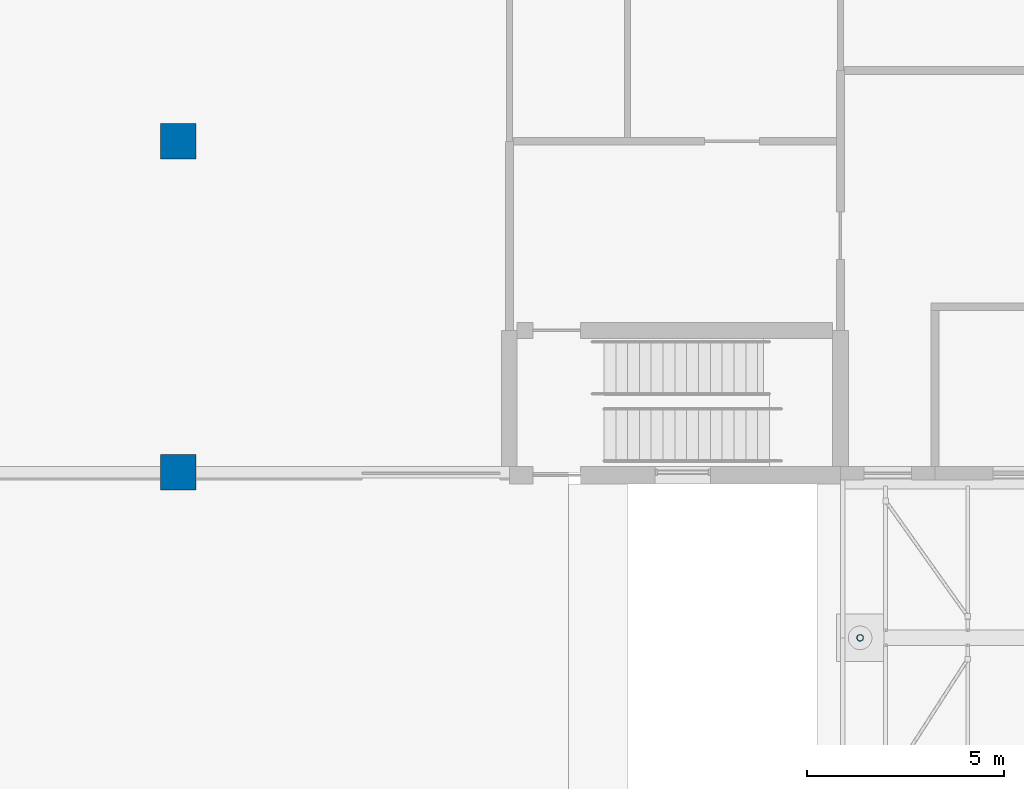
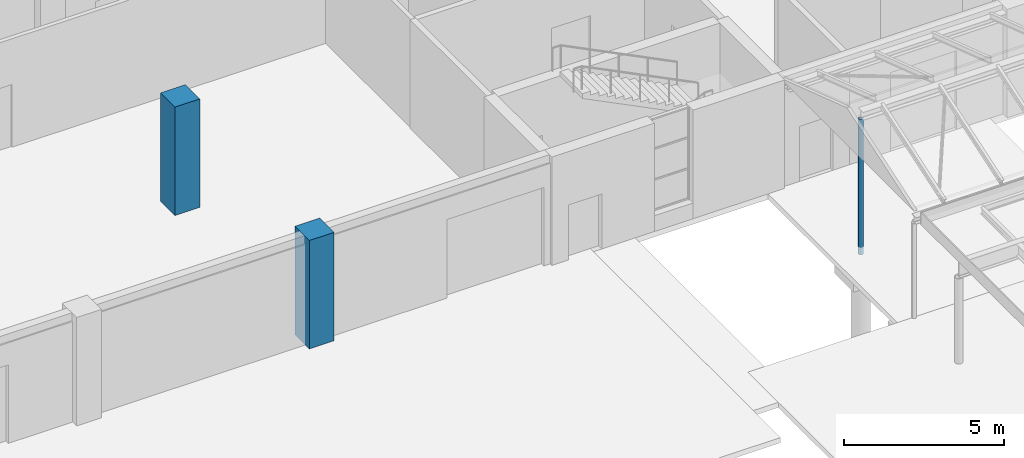
# One storey, part 7 of 138: 3 columns.
"""IFC4 building model written with IfcOpenShell, lengths in metres."""

from ifc_helpers import new_model, si_unit, direction, frame, origin, origin_2d, place, context, subcontext, project, spatial, rectangle, hollow_circle, extrude, material, material_profile, profile_set, type_object, element, save


model = new_model("IFC4")

# Units and contexts
model_context = context("Model", 3, precision=1e-05, world=origin(), true_north=direction((0.0, 1.0)))
body_context = subcontext(model_context, "Body", "Model", "MODEL_VIEW")
ifc_project = project(units=[si_unit("LENGTHUNIT", "METRE"), si_unit("AREAUNIT", "SQUARE_METRE"), si_unit("VOLUMEUNIT", "CUBIC_METRE"), si_unit("PLANEANGLEUNIT", "RADIAN"), si_unit("MASSUNIT", "GRAM", prefix="KILO")], contexts=[model_context])

# Site, building, storey
site_placement = place(None, origin())
site = spatial("IfcSite", under=ifc_project, at=site_placement, CompositionType="ELEMENT")
building_placement = place(site_placement, origin())
building = spatial("IfcBuilding", under=site, at=building_placement, Name="Yavir Park General Hospital", CompositionType="ELEMENT")
storey_placement = place(building_placement, origin())
storey = spatial("IfcBuildingStorey", under=building, at=storey_placement, Name="L00", CompositionType="ELEMENT", Elevation=0.0)

# Columns
ifc_material_1 = material(Name="Steel S355", Category="steel")
ifc_material_profile_1 = material_profile(ifc_material_1, hollow_circle(Radius=0.084228515625, WallThickness=0.008056640625, at=origin_2d()), Name="CHS168.3x8")
ifc_profile_set_1 = profile_set([ifc_material_profile_1], Name="Steel S355")
column_type_1 = type_object("IfcColumnType", Name="CHS 168.3x8 ridge post", PredefinedType="COLUMN", material=ifc_profile_set_1)
column_placement = place(storey_placement, frame((76.10009765625, -4.199951171875, -0.300048828125), z_axis=(0.0, 0.0, 1.0), x_axis=(1.0, 0.0, 0.0)))
element("IfcColumn", 1, at=column_placement, inside=storey, type_object=column_type_1, Name="RF:PORCH:frame:K:0", PredefinedType="COLUMN", context=body_context, shape_type="SweptSolid", body=[
    extrude(hollow_circle(Radius=0.084228515625, WallThickness=0.008056640625, at=origin_2d()), origin(), (0.0, 0.0, 1.0), 5.171142578125),
])
ifc_material_2 = material(Name="Concrete C40/50", Category="concrete")
ifc_material_profile_2 = material_profile(ifc_material_2, rectangle(XDim=0.89990234375, YDim=0.89990234375, at=origin_2d()), Name="RC900x900")
ifc_profile_set_2 = profile_set([ifc_material_profile_2], Name="Concrete C40/50")
column_type_2 = type_object("IfcColumnType", Name="RC COLUMN 900x900", PredefinedType="COLUMN", material=ifc_profile_set_2)
for number, where, z_axis, x_axis, name in (
    (2, (58.800048828125, 0.0, 0.0), (0.0, 0.0, 1.0), (1.0, 0.0, 0.0), "C:L00:8A"),
    (3, (58.800048828125, 8.39990234375, 0.0), (0.0, 0.0, 1.0), (1.0, 0.0, 0.0), "C:L00:8B"),
):
    element("IfcColumn", number, at=place(storey_placement, frame(where, z_axis=z_axis, x_axis=x_axis)), inside=storey, type_object=column_type_2, Name=name, PredefinedType="COLUMN", context=body_context, shape_type="SweptSolid", body=[
        extrude(rectangle(XDim=0.89990234375, YDim=0.89990234375, at=origin_2d()), origin(), (0.0, 0.0, 1.0), 4.139892578125),
    ])

save(model, "model.ifc")
